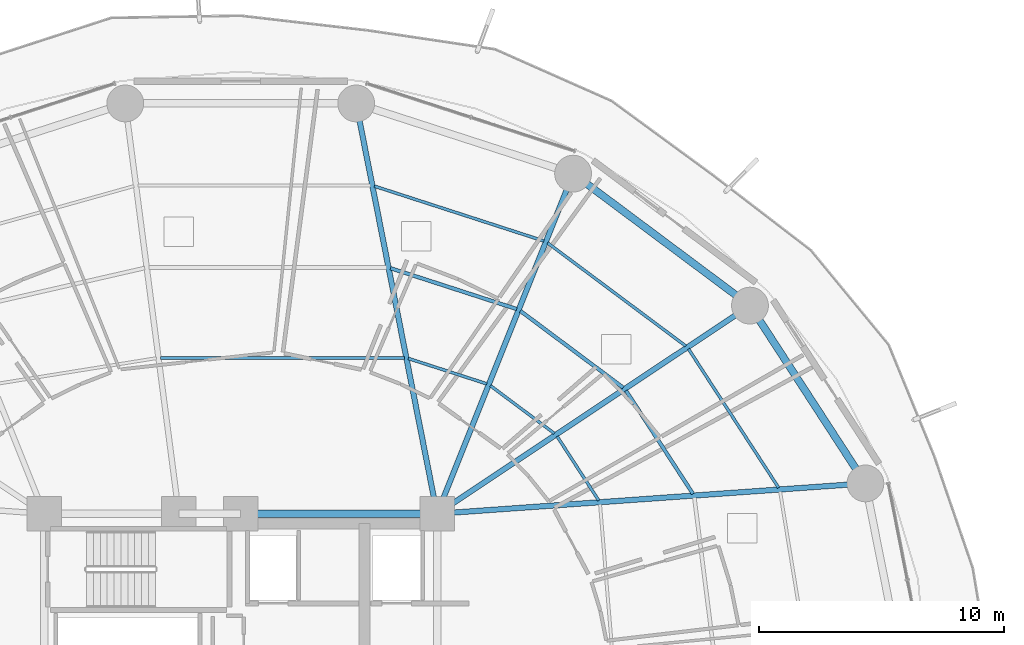
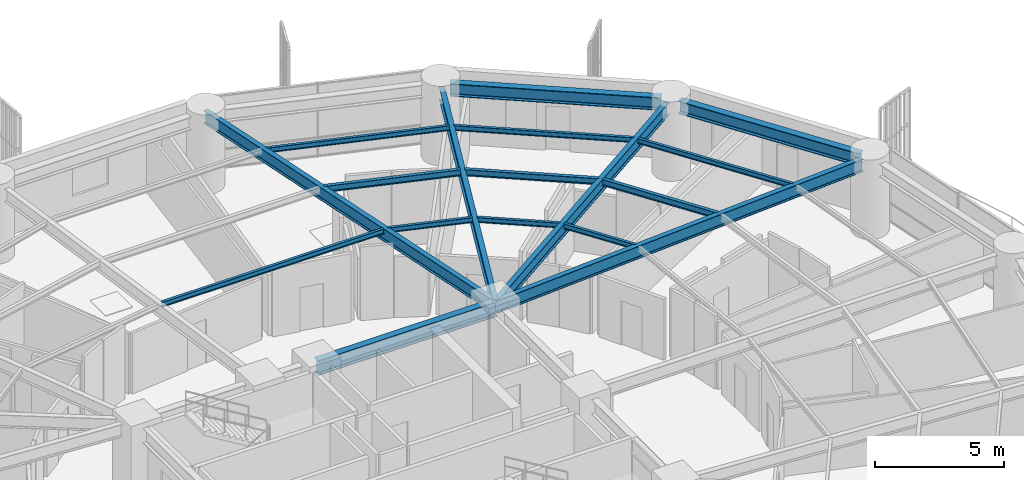
# One storey, part 19 of 33: 17 beams.
"""IFC4 building model written with IfcOpenShell, lengths in metres."""

from ifc_helpers import new_model, si_unit, direction, frame, origin, origin_2d, place, context, subcontext, project, spatial, i_section, extrude, material, material_profile, profile_set, type_object, element, save


model = new_model("IFC4")

# Units and contexts
model_context = context("Model", 3, precision=1e-05, world=origin(), true_north=direction((0.0, 1.0)))
body_context = subcontext(model_context, "Body", "Model", "MODEL_VIEW")
ifc_project = project(units=[si_unit("LENGTHUNIT", "METRE"), si_unit("AREAUNIT", "SQUARE_METRE"), si_unit("VOLUMEUNIT", "CUBIC_METRE"), si_unit("PLANEANGLEUNIT", "RADIAN"), si_unit("MASSUNIT", "GRAM", prefix="KILO")], contexts=[model_context])

# Site, building, storey
site_placement = place(None, origin())
site = spatial("IfcSite", under=ifc_project, at=site_placement, CompositionType="ELEMENT")
building_placement = place(site_placement, origin())
building = spatial("IfcBuilding", under=site, at=building_placement, Name="Kelanora Arch Commons", CompositionType="ELEMENT")
storey_placement = place(building_placement, frame((0.0, 0.0, 45.0)))
storey = spatial("IfcBuildingStorey", under=building, at=storey_placement, Name="L11", CompositionType="ELEMENT", Elevation=45.0)

# Beams
ifc_material = material(Name="Steel S355", Category="steel")
ifc_material_profile_1 = material_profile(ifc_material, i_section(OverallWidth=0.300048828125, OverallDepth=0.699951171875, WebThickness=0.01708984375, FlangeThickness=0.031982421875, FilletRadius=0.027099609375, at=origin_2d()), Name="HEB700")
ifc_profile_set_1 = profile_set([ifc_material_profile_1], Name="Steel S355")
beam_type_1 = type_object("IfcBeamType", Name="BM-CORE-HDR", PredefinedType="BEAM", material=ifc_profile_set_1)
beam_1_placement = place(storey_placement, frame((82.0, 65.0, 3.139892578125), z_axis=(-1.0, 0.0, 0.0), x_axis=(0.0, -1.0, 0.0)))
element("IfcBeam", 1, at=beam_1_placement, inside=storey, type_object=beam_type_1, Name="Core Header Beam 05 L11", PredefinedType="BEAM", context=body_context, shape_type="SweptSolid", body=[
    extrude(i_section(OverallWidth=0.300048828125, OverallDepth=0.699951171875, WebThickness=0.01708984375, FlangeThickness=0.031982421875, FilletRadius=0.027099609375, at=origin_2d()), origin(), (0.0, 0.0, 1.0), 8.0),
])
ifc_material_profile_2 = material_profile(ifc_material, i_section(OverallWidth=0.14990234375, OverallDepth=0.300048828125, WebThickness=0.007080078125, FlangeThickness=0.0107421875, FilletRadius=0.014892578125, at=origin_2d()), Name="IPE300")
ifc_profile_set_2 = profile_set([ifc_material_profile_2], Name="Steel S355")
beam_type_2 = type_object("IfcBeamType", Name="BM-JST-01", PredefinedType="JOIST", material=ifc_profile_set_2)
beam_2_placement = place(storey_placement, frame((92.421875, 65.812744140625, 3.340087890625), z_axis=(-0.544551588245, 0.838727350061, 0.0), x_axis=(-0.838727350061, -0.544551588245, 0.0)))
element("IfcBeam", 2, at=beam_2_placement, inside=storey, type_object=beam_type_2, Name="Secondary Chord Joist BJB-02 L11", PredefinedType="JOIST", context=body_context, shape_type="SweptSolid", body=[
    extrude(i_section(OverallWidth=0.14990234375, OverallDepth=0.300048828125, WebThickness=0.007080078125, FlangeThickness=0.0107421875, FilletRadius=0.014892578125, at=origin_2d()), origin(), (0.0, 0.0, 1.0), 5.010986328125),
])
beam_3_placement = place(storey_placement, frame((89.57861328125, 70.1376953125, 3.340087890625), z_axis=(-0.801478251559, 0.598023922831, 0.0), x_axis=(-0.598023922831, -0.801478251559, 0.0)))
element("IfcBeam", 3, at=beam_3_placement, inside=storey, type_object=beam_type_2, Name="Secondary Chord Joist BJB-04 L11", PredefinedType="JOIST", context=body_context, shape_type="SweptSolid", body=[
    extrude(i_section(OverallWidth=0.14990234375, OverallDepth=0.300048828125, WebThickness=0.007080078125, FlangeThickness=0.0107421875, FilletRadius=0.014892578125, at=origin_2d()), origin(), (0.0, 0.0, 1.0), 5.223388671875),
])
beam_4_placement = place(storey_placement, frame((85.2431640625, 73.33837890625, 3.340087890625), z_axis=(-0.951412209627, 0.307920131482, 0.0), x_axis=(-0.307920131482, -0.951412209627, 0.0)))
element("IfcBeam", 4, at=beam_4_placement, inside=storey, type_object=beam_type_2, Name="Secondary Chord Joist BJB-06 L11", PredefinedType="JOIST", context=body_context, shape_type="SweptSolid", body=[
    extrude(i_section(OverallWidth=0.14990234375, OverallDepth=0.300048828125, WebThickness=0.007080078125, FlangeThickness=0.0107421875, FilletRadius=0.014892578125, at=origin_2d()), origin(), (0.0, 0.0, 1.0), 5.4033203125),
])
ifc_material_profile_3 = material_profile(ifc_material, i_section(OverallWidth=0.1201171875, OverallDepth=0.239990234375, WebThickness=0.006103515625, FlangeThickness=0.009765625, FilletRadius=0.014892578125, at=origin_2d()), Name="IPE240")
ifc_profile_set_3 = profile_set([ifc_material_profile_3], Name="Steel S355")
beam_type_3 = type_object("IfcBeamType", Name="BM-JST-02", PredefinedType="JOIST", material=ifc_profile_set_3)
beam_5_placement = place(storey_placement, frame((88.58349609375, 65.541015625, 3.3701171875), z_axis=(-0.544591105858, 0.838701691557, 0.0), x_axis=(-0.838701691557, -0.544591105858, 0.0)))
element("IfcBeam", 5, at=beam_5_placement, inside=storey, type_object=beam_type_3, Name="Secondary Chord Joist BJA-02 L11", PredefinedType="JOIST", context=body_context, shape_type="SweptSolid", body=[
    extrude(i_section(OverallWidth=0.1201171875, OverallDepth=0.239990234375, WebThickness=0.006103515625, FlangeThickness=0.009765625, FilletRadius=0.014892578125, at=origin_2d()), origin(), (0.0, 0.0, 1.0), 3.111328125),
])
beam_6_placement = place(storey_placement, frame((95.9111328125, 66.059814453125, 3.3701171875), z_axis=(-0.544550165372, 0.838728273873, 0.0), x_axis=(-0.838728273873, -0.544550165372, 0.0)))
element("IfcBeam", 6, at=beam_6_placement, inside=storey, type_object=beam_type_3, Name="Secondary Chord Joist BJC-02 L11", PredefinedType="JOIST", context=body_context, shape_type="SweptSolid", body=[
    extrude(i_section(OverallWidth=0.1201171875, OverallDepth=0.239990234375, WebThickness=0.006103515625, FlangeThickness=0.009765625, FilletRadius=0.014892578125, at=origin_2d()), origin(), (0.0, 0.0, 1.0), 6.738037109375),
])
beam_7_placement = place(storey_placement, frame((86.77490234375, 68.272705078125, 3.3701171875), z_axis=(-0.801513822608, 0.59797624716, 0.0), x_axis=(-0.59797624716, -0.801513822608, 0.0)))
element("IfcBeam", 7, at=beam_7_placement, inside=storey, type_object=beam_type_3, Name="Secondary Chord Joist BJA-04 L11", PredefinedType="JOIST", context=body_context, shape_type="SweptSolid", body=[
    extrude(i_section(OverallWidth=0.1201171875, OverallDepth=0.239990234375, WebThickness=0.006103515625, FlangeThickness=0.009765625, FilletRadius=0.014892578125, at=origin_2d()), origin(), (0.0, 0.0, 1.0), 3.245849609375),
])
beam_8_placement = place(storey_placement, frame((92.12744140625, 71.83349609375, 3.3701171875), z_axis=(-0.80149131963, 0.598006408459, 0.0), x_axis=(-0.598006408459, -0.80149131963, 0.0)))
element("IfcBeam", 8, at=beam_8_placement, inside=storey, type_object=beam_type_3, Name="Secondary Chord Joist BJC-04 L11", PredefinedType="JOIST", context=body_context, shape_type="SweptSolid", body=[
    extrude(i_section(OverallWidth=0.1201171875, OverallDepth=0.239990234375, WebThickness=0.006103515625, FlangeThickness=0.009765625, FilletRadius=0.014892578125, at=origin_2d()), origin(), (0.0, 0.0, 1.0), 7.021240234375),
])
beam_9_placement = place(storey_placement, frame((84.0244140625, 70.290771484375, 3.3701171875), z_axis=(-0.951422608074, 0.30788800049, 0.0), x_axis=(-0.30788800049, -0.951422608074, 0.0)))
element("IfcBeam", 9, at=beam_9_placement, inside=storey, type_object=beam_type_3, Name="Secondary Chord Joist BJA-06 L11", PredefinedType="JOIST", context=body_context, shape_type="SweptSolid", body=[
    extrude(i_section(OverallWidth=0.1201171875, OverallDepth=0.239990234375, WebThickness=0.006103515625, FlangeThickness=0.009765625, FilletRadius=0.014892578125, at=origin_2d()), origin(), (0.0, 0.0, 1.0), 3.359619140625),
])
beam_10_placement = place(storey_placement, frame((86.35107421875, 76.109375, 3.3701171875), z_axis=(-0.951410915705, 0.307924129418, 0.0), x_axis=(-0.307924129418, -0.951410915705, 0.0)))
element("IfcBeam", 10, at=beam_10_placement, inside=storey, type_object=beam_type_3, Name="Secondary Chord Joist BJC-06 L11", PredefinedType="JOIST", context=body_context, shape_type="SweptSolid", body=[
    extrude(i_section(OverallWidth=0.1201171875, OverallDepth=0.239990234375, WebThickness=0.006103515625, FlangeThickness=0.009765625, FilletRadius=0.014892578125, at=origin_2d()), origin(), (0.0, 0.0, 1.0), 7.260986328125),
])
beam_11_placement = place(storey_placement, frame((80.661865234375, 71.351318359375, 3.3701171875), z_axis=(-1.0, 0.0, 0.0), x_axis=(0.0, -1.0, 0.0)))
element("IfcBeam", 11, at=beam_11_placement, inside=storey, type_object=beam_type_3, Name="Secondary Chord Joist BJA-08 L11", PredefinedType="JOIST", context=body_context, shape_type="SweptSolid", body=[
    extrude(i_section(OverallWidth=0.1201171875, OverallDepth=0.239990234375, WebThickness=0.006103515625, FlangeThickness=0.009765625, FilletRadius=0.014892578125, at=origin_2d()), origin(), (0.0, 0.0, 1.0), 9.92626953125),
])
ifc_material_profile_4 = material_profile(ifc_material, i_section(OverallWidth=0.219970703125, OverallDepth=0.60009765625, WebThickness=0.011962890625, FlangeThickness=0.01904296875, FilletRadius=0.02392578125, at=origin_2d()), Name="IPE600")
ifc_profile_set_4 = profile_set([ifc_material_profile_4], Name="Steel S355")
beam_type_4 = type_object("IfcBeamType", Name="BM-RAD-Z1", PredefinedType="BEAM", material=ifc_profile_set_4)
beam_12_placement = place(storey_placement, frame((82.0, 65.0, 3.18994140625), z_axis=(0.997500678462, 0.070656892572, 0.0), x_axis=(-0.070656892572, 0.997500678462, 0.0)))
element("IfcBeam", 12, at=beam_12_placement, inside=storey, type_object=beam_type_4, Name="Radial Floor Girder BR-02 L11", PredefinedType="BEAM", context=body_context, shape_type="SweptSolid", body=[
    extrude(i_section(OverallWidth=0.219970703125, OverallDepth=0.60009765625, WebThickness=0.011962890625, FlangeThickness=0.01904296875, FilletRadius=0.02392578125, at=origin_2d()), origin(), (0.0, 0.0, 1.0), 17.110595703125),
])
beam_13_placement = place(storey_placement, frame((82.0, 65.0, 3.18994140625), z_axis=(0.832590897434, 0.553888434173, 0.0), x_axis=(-0.553888434173, 0.832590897434, 0.0)))
element("IfcBeam", 13, at=beam_13_placement, inside=storey, type_object=beam_type_4, Name="Radial Floor Girder BR-04 L11", PredefinedType="BEAM", context=body_context, shape_type="SweptSolid", body=[
    extrude(i_section(OverallWidth=0.219970703125, OverallDepth=0.60009765625, WebThickness=0.011962890625, FlangeThickness=0.01904296875, FilletRadius=0.02392578125, at=origin_2d()), origin(), (0.0, 0.0, 1.0), 14.9267578125),
])
beam_14_placement = place(storey_placement, frame((82.0, 65.0, 3.18994140625), z_axis=(0.37129803903, 0.928513740454, 0.0), x_axis=(-0.928513740454, 0.37129803903, 0.0)))
element("IfcBeam", 14, at=beam_14_placement, inside=storey, type_object=beam_type_4, Name="Radial Floor Girder BR-06 L11", PredefinedType="BEAM", context=body_context, shape_type="SweptSolid", body=[
    extrude(i_section(OverallWidth=0.219970703125, OverallDepth=0.60009765625, WebThickness=0.011962890625, FlangeThickness=0.01904296875, FilletRadius=0.02392578125, at=origin_2d()), origin(), (0.0, 0.0, 1.0), 14.540771484375),
])
beam_15_placement = place(storey_placement, frame((82.0, 65.0, 3.18994140625), z_axis=(-0.19356352044, 0.981087745084, 0.0), x_axis=(-0.981087745084, -0.19356352044, 0.0)))
element("IfcBeam", 15, at=beam_15_placement, inside=storey, type_object=beam_type_4, Name="Radial Floor Girder BR-08 L11", PredefinedType="BEAM", context=body_context, shape_type="SweptSolid", body=[
    extrude(i_section(OverallWidth=0.219970703125, OverallDepth=0.60009765625, WebThickness=0.011962890625, FlangeThickness=0.01904296875, FilletRadius=0.02392578125, at=origin_2d()), origin(), (0.0, 0.0, 1.0), 17.036376953125),
])
ifc_material_profile_5 = material_profile(ifc_material, i_section(OverallWidth=0.300048828125, OverallDepth=0.60009765625, WebThickness=0.015380859375, FlangeThickness=0.030029296875, FilletRadius=0.027099609375, at=origin_2d()), Name="HEB600")
ifc_profile_set_5 = profile_set([ifc_material_profile_5], Name="Steel S355")
beam_type_5 = type_object("IfcBeamType", Name="BM-SPN-Z1", PredefinedType="SPANDREL", material=ifc_profile_set_5)
beam_16_placement = place(storey_placement, frame((99.239990234375, 66.554443359375, 3.18994140625), z_axis=(-0.54455786519, 0.838723274662, 0.0), x_axis=(-0.838723274662, -0.54455786519, 0.0)))
element("IfcBeam", 16, at=beam_16_placement, inside=storey, type_object=beam_type_5, Name="Perimeter Spandrel Beam BS-02 L11", PredefinedType="SPANDREL", context=body_context, shape_type="SweptSolid", body=[
    extrude(i_section(OverallWidth=0.300048828125, OverallDepth=0.60009765625, WebThickness=0.015380859375, FlangeThickness=0.030029296875, FilletRadius=0.027099609375, at=origin_2d()), origin(), (0.0, 0.0, 1.0), 7.875244140625),
])
beam_17_placement = place(storey_placement, frame((94.43994140625, 73.70556640625, 3.18994140625), z_axis=(-0.801482139897, 0.598018711601, 0.0), x_axis=(-0.598018711601, -0.801482139897, 0.0)))
element("IfcBeam", 17, at=beam_17_placement, inside=storey, type_object=beam_type_5, Name="Perimeter Spandrel Beam BS-04 L11", PredefinedType="SPANDREL", context=body_context, shape_type="SweptSolid", body=[
    extrude(i_section(OverallWidth=0.300048828125, OverallDepth=0.60009765625, WebThickness=0.015380859375, FlangeThickness=0.030029296875, FilletRadius=0.027099609375, at=origin_2d()), origin(), (0.0, 0.0, 1.0), 8.22900390625),
])

save(model, "model.ifc")
